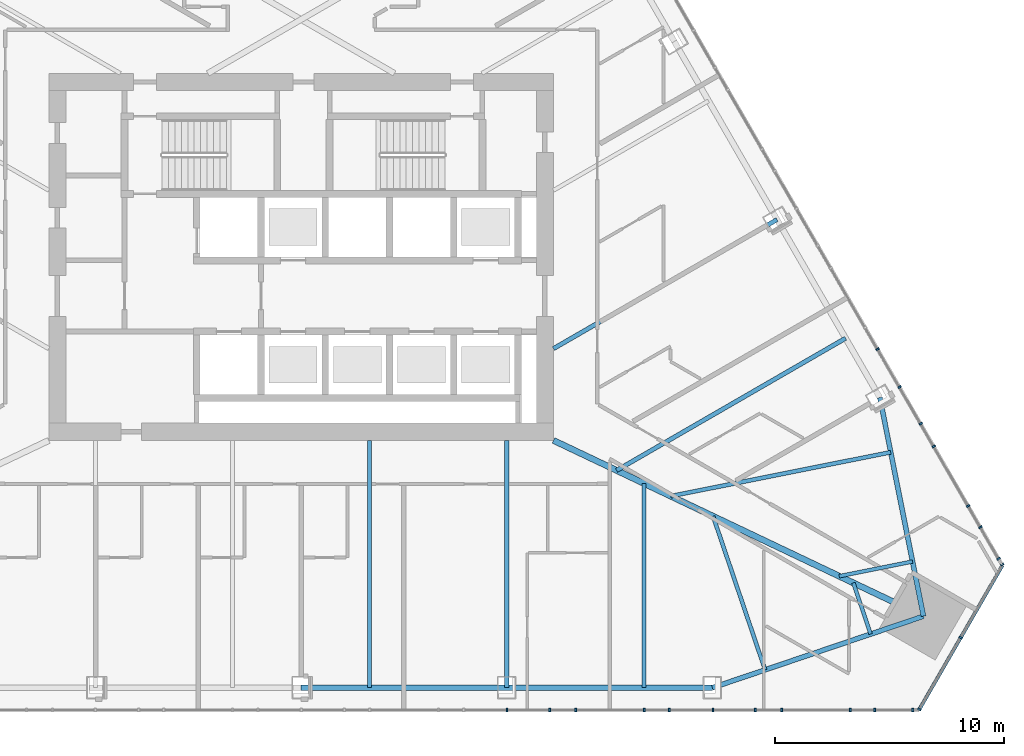
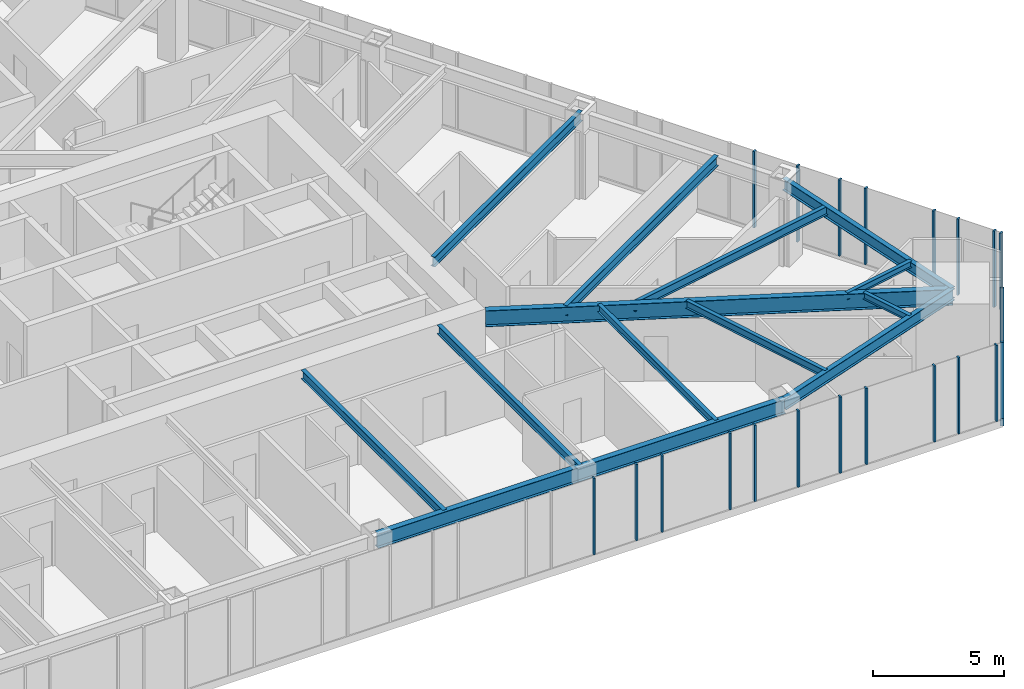
# One storey, part 7 of 26: 22 members, 13 beams, 3 elements without a shape of their own.
"""IFC4 building model written with IfcOpenShell, lengths in metres."""

from ifc_helpers import new_model, si_unit, direction, frame, origin, origin_2d, place, context, subcontext, project, spatial, rectangle, i_section, extrude, material, layer, layer_set, material_profile, profile_set, type_object, element, aggregate, save


model = new_model("IFC4")

# Units and contexts
model_context = context("Model", 3, precision=1e-05, world=origin(), true_north=direction((0.0, 1.0)))
body_context = subcontext(model_context, "Body", "Model", "MODEL_VIEW")
ifc_project = project(units=[si_unit("LENGTHUNIT", "METRE"), si_unit("AREAUNIT", "SQUARE_METRE"), si_unit("VOLUMEUNIT", "CUBIC_METRE"), si_unit("PLANEANGLEUNIT", "RADIAN"), si_unit("MASSUNIT", "GRAM", prefix="KILO")], contexts=[model_context])

# Site, building, storey
site_placement = place(None, origin())
site = spatial("IfcSite", under=ifc_project, at=site_placement, CompositionType="ELEMENT")
building_placement = place(site_placement, origin())
building = spatial("IfcBuilding", under=site, at=building_placement, Name="Firuza Gate Tower and Library", CompositionType="ELEMENT")
storey_placement = place(building_placement, frame((0.0, 0.0, 175.300048828125)))
storey = spatial("IfcBuildingStorey", under=building, at=storey_placement, Name="L40", CompositionType="ELEMENT", Elevation=175.300048828125)

# Curtain wall, members
ifc_material_1 = material(Name="Aluminium 6063-T6", Category="aluminium")
ifc_layer_1 = layer(ifc_material_1, 0.14990234375)
ifc_layer_set_1 = layer_set([ifc_layer_1], Name="Unitised curtain wall, hotel")
curtain_wall_type_1 = type_object("IfcCurtainWallType", Name="Unitised curtain wall, hotel", PredefinedType="NOTDEFINED", material=ifc_layer_set_1)
placement = place(storey_placement, origin())
curtain_wall_1 = element("IfcCurtainWall", 1, at=placement, inside=storey, type_object=curtain_wall_type_1, Name="CW2 L40 S face", PredefinedType="NOTDEFINED")
ifc_material_2 = material(Name="Aluminium 6063-T6", Category="aluminium")
ifc_material_profile_1 = material_profile(ifc_material_2, rectangle(XDim=0.14990234375, YDim=0.080078125, at=origin_2d()))
ifc_profile_set_1 = profile_set([ifc_material_profile_1], Name="Aluminium 6063-T6")
member_type_1 = type_object("IfcMemberType", Name="Curtain wall mullion 80x150", PredefinedType="MULLION", material=ifc_profile_set_1)
member_1_placement = place(storey_placement, frame((83.976318359375, 55.24560546875, 0.14990234375), z_axis=(0.0, 0.0, 1.0), x_axis=(0.0, 1.0, 0.0)))
member_1 = element("IfcMember", 2, at=member_1_placement, type_object=member_type_1, Name="Mullion", PredefinedType="MULLION", context=body_context, shape_type="SweptSolid", body=[
    extrude(rectangle(XDim=0.14990234375, YDim=0.080078125, at=origin_2d()), origin(), (0.0, 0.0, 1.0), 3.550048828125),
])
member_2_placement = place(storey_placement, frame((86.968505859375, 55.24560546875, 0.14990234375), z_axis=(0.0, 0.0, 1.0), x_axis=(0.0, 1.0, 0.0)))
member_2 = element("IfcMember", 3, at=member_2_placement, type_object=member_type_1, Name="Mullion", PredefinedType="MULLION", context=body_context, shape_type="SweptSolid", body=[
    extrude(rectangle(XDim=0.14990234375, YDim=0.080078125, at=origin_2d()), origin(), (0.0, 0.0, 1.0), 3.550048828125),
])
member_3_placement = place(storey_placement, frame((89.960693359375, 55.24560546875, 0.14990234375), z_axis=(0.0, 0.0, 1.0), x_axis=(0.0, 1.0, 0.0)))
member_3 = element("IfcMember", 4, at=member_3_placement, type_object=member_type_1, Name="Mullion", PredefinedType="MULLION", context=body_context, shape_type="SweptSolid", body=[
    extrude(rectangle(XDim=0.14990234375, YDim=0.080078125, at=origin_2d()), origin(), (0.0, 0.0, 1.0), 3.550048828125),
])
member_4_placement = place(storey_placement, frame((92.95263671875, 55.24560546875, 0.14990234375), z_axis=(0.0, 0.0, 1.0), x_axis=(0.0, 1.0, 0.0)))
member_4 = element("IfcMember", 5, at=member_4_placement, type_object=member_type_1, Name="Mullion", PredefinedType="MULLION", context=body_context, shape_type="SweptSolid", body=[
    extrude(rectangle(XDim=0.14990234375, YDim=0.080078125, at=origin_2d()), origin(), (0.0, 0.0, 1.0), 3.550048828125),
])
member_5_placement = place(storey_placement, frame((95.94482421875, 55.24560546875, 0.14990234375), z_axis=(0.0, 0.0, 1.0), x_axis=(0.0, 1.0, 0.0)))
member_5 = element("IfcMember", 6, at=member_5_placement, type_object=member_type_1, Name="Mullion", PredefinedType="MULLION", context=body_context, shape_type="SweptSolid", body=[
    extrude(rectangle(XDim=0.14990234375, YDim=0.080078125, at=origin_2d()), origin(), (0.0, 0.0, 1.0), 3.550048828125),
])
member_6_placement = place(storey_placement, frame((98.93701171875, 55.24560546875, 0.14990234375), z_axis=(0.0, 0.0, 1.0), x_axis=(0.0, 1.0, 0.0)))
member_6 = element("IfcMember", 7, at=member_6_placement, type_object=member_type_1, Name="Mullion", PredefinedType="MULLION", context=body_context, shape_type="SweptSolid", body=[
    extrude(rectangle(XDim=0.14990234375, YDim=0.080078125, at=origin_2d()), origin(), (0.0, 0.0, 1.0), 3.550048828125),
])
member_7_placement = place(storey_placement, frame((85.83984375, 55.24560546875, 0.14990234375), z_axis=(0.0, 0.0, 1.0), x_axis=(0.0, 1.0, 0.0)))
member_7 = element("IfcMember", 8, at=member_7_placement, type_object=member_type_1, Name="Mullion", PredefinedType="MULLION", context=body_context, shape_type="SweptSolid", body=[
    extrude(rectangle(XDim=0.14990234375, YDim=0.080078125, at=origin_2d()), origin(), (0.0, 0.0, 1.0), 3.550048828125),
])
member_8_placement = place(storey_placement, frame((91.0458984375, 55.24560546875, 0.14990234375), z_axis=(0.0, 0.0, 1.0), x_axis=(0.0, 1.0, 0.0)))
member_8 = element("IfcMember", 9, at=member_8_placement, type_object=member_type_1, Name="Mullion", PredefinedType="MULLION", context=body_context, shape_type="SweptSolid", body=[
    extrude(rectangle(XDim=0.14990234375, YDim=0.080078125, at=origin_2d()), origin(), (0.0, 0.0, 1.0), 3.550048828125),
])
member_9_placement = place(storey_placement, frame((94.8017578125, 55.24560546875, 0.14990234375), z_axis=(0.0, 0.0, 1.0), x_axis=(0.0, 1.0, 0.0)))
member_9 = element("IfcMember", 10, at=member_9_placement, type_object=member_type_1, Name="Mullion", PredefinedType="MULLION", context=body_context, shape_type="SweptSolid", body=[
    extrude(rectangle(XDim=0.14990234375, YDim=0.080078125, at=origin_2d()), origin(), (0.0, 0.0, 1.0), 3.550048828125),
])
member_10_placement = place(storey_placement, frame((100.0078125, 55.24560546875, 0.14990234375), z_axis=(0.0, 0.0, 1.0), x_axis=(0.0, 1.0, 0.0)))
member_10 = element("IfcMember", 11, at=member_10_placement, type_object=member_type_1, Name="Mullion", PredefinedType="MULLION", context=body_context, shape_type="SweptSolid", body=[
    extrude(rectangle(XDim=0.14990234375, YDim=0.080078125, at=origin_2d()), origin(), (0.0, 0.0, 1.0), 3.550048828125),
])
member_11_placement = place(storey_placement, frame((101.6630859375, 55.24560546875, 0.14990234375), z_axis=(0.0, 0.0, 1.0), x_axis=(0.0, 1.0, 0.0)))
member_11 = element("IfcMember", 12, at=member_11_placement, type_object=member_type_1, Name="Mullion", PredefinedType="MULLION", context=body_context, shape_type="SweptSolid", body=[
    extrude(rectangle(XDim=0.14990234375, YDim=0.080078125, at=origin_2d()), origin(), (0.0, 0.0, 1.0), 3.550048828125),
])
aggregate(curtain_wall_1, [member_1, member_2, member_3, member_4, member_5, member_6, member_7, member_8, member_9, member_10, member_11])

ifc_material_3 = material(Name="Aluminium 6063-T6", Category="aluminium")
ifc_layer_2 = layer(ifc_material_3, 0.14990234375)
ifc_layer_set_2 = layer_set([ifc_layer_2], Name="Corner curtain wall, chamfers")
curtain_wall_type_2 = type_object("IfcCurtainWallType", Name="Corner curtain wall, chamfers", PredefinedType="NOTDEFINED", material=ifc_layer_set_2)
curtain_wall_2 = element("IfcCurtainWall", 13, at=placement, inside=storey, type_object=curtain_wall_type_2, Name="CW4 L40 SE corner", PredefinedType="NOTDEFINED")
member_12_placement = place(storey_placement, frame((101.948974609375, 55.2802734375, 0.14990234375), z_axis=(0.0, 0.0, 1.0), x_axis=(-0.866025403784, 0.5, 0.0)))
member_12 = element("IfcMember", 14, at=member_12_placement, type_object=member_type_1, Name="Mullion", PredefinedType="MULLION", context=body_context, shape_type="SweptSolid", body=[
    extrude(rectangle(XDim=0.14990234375, YDim=0.080078125, at=origin_2d()), origin(), (0.0, 0.0, 1.0), 3.550048828125),
])
member_13_placement = place(storey_placement, frame((103.750732421875, 58.400634765625, 0.14990234375), z_axis=(0.0, 0.0, 1.0), x_axis=(-0.866025403784, 0.5, 0.0)))
member_13 = element("IfcMember", 15, at=member_13_placement, type_object=member_type_1, Name="Mullion", PredefinedType="MULLION", context=body_context, shape_type="SweptSolid", body=[
    extrude(rectangle(XDim=0.14990234375, YDim=0.080078125, at=origin_2d()), origin(), (0.0, 0.0, 1.0), 3.550048828125),
])

curtain_wall_3 = element("IfcCurtainWall", 16, at=placement, inside=storey, type_object=curtain_wall_type_1, Name="CW2 L40 E face", PredefinedType="NOTDEFINED")
member_14_placement = place(storey_placement, frame((105.552490234375, 61.590576171875, 0.14990234375), z_axis=(0.0, 0.0, 1.0), x_axis=(-0.866025403784, -0.5, 0.0)))
member_14 = element("IfcMember", 17, at=member_14_placement, type_object=member_type_1, Name="Mullion", PredefinedType="MULLION", context=body_context, shape_type="SweptSolid", body=[
    extrude(rectangle(XDim=0.14990234375, YDim=0.080078125, at=origin_2d()), origin(), (0.0, 0.0, 1.0), 3.550048828125),
])
member_15_placement = place(storey_placement, frame((104.076416015625, 64.147216796875, 0.14990234375), z_axis=(0.0, 0.0, 1.0), x_axis=(-0.866025403784, -0.5, 0.0)))
member_15 = element("IfcMember", 18, at=member_15_placement, type_object=member_type_1, Name="Mullion", PredefinedType="MULLION", context=body_context, shape_type="SweptSolid", body=[
    extrude(rectangle(XDim=0.14990234375, YDim=0.080078125, at=origin_2d()), origin(), (0.0, 0.0, 1.0), 3.550048828125),
])
member_16_placement = place(storey_placement, frame((102.580322265625, 66.738525390625, 0.14990234375), z_axis=(0.0, 0.0, 1.0), x_axis=(-0.866025403784, -0.5, 0.0)))
member_16 = element("IfcMember", 19, at=member_16_placement, type_object=member_type_1, Name="Mullion", PredefinedType="MULLION", context=body_context, shape_type="SweptSolid", body=[
    extrude(rectangle(XDim=0.14990234375, YDim=0.080078125, at=origin_2d()), origin(), (0.0, 0.0, 1.0), 3.550048828125),
])
member_17_placement = place(storey_placement, frame((101.084228515625, 69.32958984375, 0.14990234375), z_axis=(0.0, 0.0, 1.0), x_axis=(-0.866025403784, -0.5, 0.0)))
member_17 = element("IfcMember", 20, at=member_17_placement, type_object=member_type_1, Name="Mullion", PredefinedType="MULLION", context=body_context, shape_type="SweptSolid", body=[
    extrude(rectangle(XDim=0.14990234375, YDim=0.080078125, at=origin_2d()), origin(), (0.0, 0.0, 1.0), 3.550048828125),
])
member_18_placement = place(storey_placement, frame((105.40673828125, 61.8427734375, 0.14990234375), z_axis=(0.0, 0.0, 1.0), x_axis=(-0.866025403784, -0.5, 0.0)))
member_18 = element("IfcMember", 21, at=member_18_placement, type_object=member_type_1, Name="Mullion", PredefinedType="MULLION", context=body_context, shape_type="SweptSolid", body=[
    extrude(rectangle(XDim=0.14990234375, YDim=0.080078125, at=origin_2d()), origin(), (0.0, 0.0, 1.0), 3.550048828125),
])
member_19_placement = place(storey_placement, frame((104.61181640625, 63.219970703125, 0.14990234375), z_axis=(0.0, 0.0, 1.0), x_axis=(-0.866025403784, -0.5, 0.0)))
member_19 = element("IfcMember", 22, at=member_19_placement, type_object=member_type_1, Name="Mullion", PredefinedType="MULLION", context=body_context, shape_type="SweptSolid", body=[
    extrude(rectangle(XDim=0.14990234375, YDim=0.080078125, at=origin_2d()), origin(), (0.0, 0.0, 1.0), 3.550048828125),
])
member_20_placement = place(storey_placement, frame((102.0087890625, 67.728271484375, 0.14990234375), z_axis=(0.0, 0.0, 1.0), x_axis=(-0.866025403784, -0.5, 0.0)))
member_20 = element("IfcMember", 23, at=member_20_placement, type_object=member_type_1, Name="Mullion", PredefinedType="MULLION", context=body_context, shape_type="SweptSolid", body=[
    extrude(rectangle(XDim=0.14990234375, YDim=0.080078125, at=origin_2d()), origin(), (0.0, 0.0, 1.0), 3.550048828125),
])
member_21_placement = place(storey_placement, frame((100.130859375, 70.981201171875, 0.14990234375), z_axis=(0.0, 0.0, 1.0), x_axis=(-0.866025403784, -0.5, 0.0)))
member_21 = element("IfcMember", 24, at=member_21_placement, type_object=member_type_1, Name="Mullion", PredefinedType="MULLION", context=body_context, shape_type="SweptSolid", body=[
    extrude(rectangle(XDim=0.14990234375, YDim=0.080078125, at=origin_2d()), origin(), (0.0, 0.0, 1.0), 3.550048828125),
])
aggregate(curtain_wall_3, [member_14, member_15, member_16, member_17, member_18, member_19, member_20, member_21])

# Member
ifc_material_4 = material(Name="Aluminium 6063-T6", Category="aluminium")
ifc_material_profile_2 = material_profile(ifc_material_4, rectangle(XDim=0.14990234375, YDim=0.35009765625, at=origin_2d()))
ifc_profile_set_2 = profile_set([ifc_material_profile_2], Name="Aluminium 6063-T6")
member_type_2 = type_object("IfcMemberType", Name="Curtain wall transom 350x150", PredefinedType="USERDEFINED", material=ifc_profile_set_2)
member_22_placement = place(storey_placement, frame((101.92919921875, 55.24560546875, -0.025146484375), z_axis=(0.499980589496, 0.866036610154, 0.0), x_axis=(-0.866036610154, 0.499980589496, 0.0)))
member_22 = element("IfcMember", 25, at=member_22_placement, type_object=member_type_2, Name="Transom", ObjectType="TRANSOM", PredefinedType="USERDEFINED", context=body_context, shape_type="SweptSolid", body=[
    extrude(rectangle(XDim=0.14990234375, YDim=0.35009765625, at=origin_2d()), origin(), (0.0, 0.0, 1.0), 7.286376953125),
])

aggregate(curtain_wall_2, [member_12, member_13, member_22])

# Beams
ifc_material_5 = material(Name="Steel S355", Category="steel")
ifc_material_profile_3 = material_profile(ifc_material_5, i_section(OverallWidth=0.1650390625, OverallDepth=0.31005859375, WebThickness=0.005859375, FlangeThickness=0.009765625, at=origin_2d()))
ifc_profile_set_3 = profile_set([ifc_material_profile_3], Name="Steel S355")
beam_type_1 = type_object("IfcBeamType", Name="W310x39 Floor beam", PredefinedType="JOIST", material=ifc_profile_set_3)
beam_1_placement = place(storey_placement, frame((99.826171875, 58.558837890625, 3.544921875), z_axis=(-0.320886488599, 0.947117659763, 0.0), x_axis=(-0.947117659763, -0.320886488599, 0.0)))
element("IfcBeam", 26, at=beam_1_placement, inside=storey, type_object=beam_type_1, Name="Floor beam L40 s31", PredefinedType="JOIST", context=body_context, shape_type="SweptSolid", body=[
    extrude(i_section(OverallWidth=0.1650390625, OverallDepth=0.31005859375, WebThickness=0.005859375, FlangeThickness=0.009765625, at=origin_2d()), origin(), (0.0, 0.0, 1.0), 2.356201171875),
])
beam_2_placement = place(storey_placement, frame((101.651611328125, 61.720458984375, 3.544921875), z_axis=(-0.980672759664, -0.195655151867, 0.0), x_axis=(0.195655151867, -0.980672759664, 0.0)))
element("IfcBeam", 27, at=beam_2_placement, inside=storey, type_object=beam_type_1, Name="Floor beam L40 s40", PredefinedType="JOIST", context=body_context, shape_type="SweptSolid", body=[
    extrude(i_section(OverallWidth=0.1650390625, OverallDepth=0.31005859375, WebThickness=0.005859375, FlangeThickness=0.009765625, at=origin_2d()), origin(), (0.0, 0.0, 1.0), 3.25927734375),
])
ifc_material_6 = material(Name="Steel S355", Category="steel")
ifc_material_profile_4 = material_profile(ifc_material_6, i_section(OverallWidth=0.1708984375, OverallDepth=0.35498046875, WebThickness=0.007080078125, FlangeThickness=0.01171875, at=origin_2d()))
ifc_profile_set_4 = profile_set([ifc_material_profile_4], Name="Steel S355")
beam_type_2 = type_object("IfcBeamType", Name="W360x51 Floor beam", PredefinedType="JOIST", material=ifc_profile_set_4)
beam_3_placement = place(storey_placement, frame((89.9365234375, 56.220458984375, 3.5224609375), z_axis=(0.0, 1.0, 0.0), x_axis=(-1.0, 0.0, 0.0)))
element("IfcBeam", 28, at=beam_3_placement, inside=storey, type_object=beam_type_2, Name="Floor beam L40 s25", PredefinedType="JOIST", context=body_context, shape_type="SweptSolid", body=[
    extrude(i_section(OverallWidth=0.1708984375, OverallDepth=0.35498046875, WebThickness=0.007080078125, FlangeThickness=0.01171875, at=origin_2d()), origin(), (0.0, 0.0, 1.0), 8.909423828125),
])
beam_4_placement = place(storey_placement, frame((95.224609375, 57.0, 3.5224609375), z_axis=(-0.320855506984, 0.947128155868, 0.0), x_axis=(-0.947128155868, -0.320855506984, 0.0)))
element("IfcBeam", 29, at=beam_4_placement, inside=storey, type_object=beam_type_2, Name="Floor beam L40 s30", PredefinedType="JOIST", context=body_context, shape_type="SweptSolid", body=[
    extrude(i_section(OverallWidth=0.1708984375, OverallDepth=0.35498046875, WebThickness=0.007080078125, FlangeThickness=0.01171875, at=origin_2d()), origin(), (0.0, 0.0, 1.0), 7.06884765625),
])
ifc_material_7 = material(Name="Steel S355", Category="steel")
ifc_material_profile_5 = material_profile(ifc_material_7, i_section(OverallWidth=0.177978515625, OverallDepth=0.406982421875, WebThickness=0.0078125, FlangeThickness=0.0126953125, at=origin_2d()))
ifc_profile_set_5 = profile_set([ifc_material_profile_5], Name="Steel S355")
beam_type_3 = type_object("IfcBeamType", Name="W410x60 Floor beam", PredefinedType="JOIST", material=ifc_profile_set_5)
for number, where, z_axis, x_axis, name in (
    (30, (77.9873046875, 56.220458984375, 3.496337890625), (0.0, 1.0, 0.0), (-1.0, 0.0, 0.0), "Floor beam L40 s23"),
    (31, (83.9619140625, 56.220458984375, 3.496337890625), (0.0, 1.0, 0.0), (-1.0, 0.0, 0.0), "Floor beam L40 s24"),
):
    element("IfcBeam", number, at=place(storey_placement, frame(where, z_axis=z_axis, x_axis=x_axis)), inside=storey, type_object=beam_type_3, Name=name, PredefinedType="JOIST", context=body_context, shape_type="SweptSolid", body=[
        extrude(i_section(OverallWidth=0.177978515625, OverallDepth=0.406982421875, WebThickness=0.0078125, FlangeThickness=0.0126953125, at=origin_2d()), origin(), (0.0, 0.0, 1.0), 10.779541015625),
    ])
beam_5_placement = place(storey_placement, frame((100.70068359375, 66.48486328125, 3.496337890625), z_axis=(-0.980667968547, -0.195679164617, 0.0), x_axis=(0.195679164617, -0.980667968547, 0.0)))
element("IfcBeam", 32, at=beam_5_placement, inside=storey, type_object=beam_type_3, Name="Floor beam L40 s41", PredefinedType="JOIST", context=body_context, shape_type="SweptSolid", body=[
    extrude(i_section(OverallWidth=0.177978515625, OverallDepth=0.406982421875, WebThickness=0.0078125, FlangeThickness=0.0126953125, at=origin_2d()), origin(), (0.0, 0.0, 1.0), 9.77783203125),
])
ifc_material_8 = material(Name="Steel S355", Category="steel")
ifc_material_profile_6 = material_profile(ifc_material_8, i_section(OverallWidth=0.18994140625, OverallDepth=0.45703125, WebThickness=0.009033203125, FlangeThickness=0.014404296875, at=origin_2d()))
ifc_profile_set_6 = profile_set([ifc_material_profile_6], Name="Steel S355")
beam_type_4 = type_object("IfcBeamType", Name="W460x74 Floor beam", PredefinedType="JOIST", material=ifc_profile_set_6)
beam_6_placement = place(storey_placement, frame((98.731689453125, 71.454345703125, 3.471435546875), z_axis=(-0.866028586684, -0.499994487016, 0.0), x_axis=(0.499994487016, -0.866028586684, 0.0)))
element("IfcBeam", 33, at=beam_6_placement, inside=storey, type_object=beam_type_4, Name="Floor beam L40 s50", PredefinedType="JOIST", context=body_context, shape_type="SweptSolid", body=[
    extrude(i_section(OverallWidth=0.18994140625, OverallDepth=0.45703125, WebThickness=0.009033203125, FlangeThickness=0.014404296875, at=origin_2d()), origin(), (0.0, 0.0, 1.0), 11.523681640625),
])
beam_7_placement = place(storey_placement, frame((95.744384765625, 76.62841796875, 3.471435546875), z_axis=(-0.866023348946, -0.500003559068, 0.0), x_axis=(0.500003559068, -0.866023348946, 0.0)))
element("IfcBeam", 34, at=beam_7_placement, inside=storey, type_object=beam_type_4, Name="Floor beam L40 s51", PredefinedType="JOIST", context=body_context, shape_type="SweptSolid", body=[
    extrude(i_section(OverallWidth=0.18994140625, OverallDepth=0.45703125, WebThickness=0.009033203125, FlangeThickness=0.014404296875, at=origin_2d()), origin(), (0.0, 0.0, 1.0), 11.251953125),
])
ifc_material_9 = material(Name="Steel S355", Category="steel")
ifc_material_profile_7 = material_profile(ifc_material_9, i_section(OverallWidth=0.212890625, OverallDepth=0.5390625, WebThickness=0.01171875, FlangeThickness=0.018798828125, at=origin_2d()))
ifc_profile_set_7 = profile_set([ifc_material_profile_7], Name="Steel S355")
beam_type_5 = type_object("IfcBeamType", Name="W530x109 Edge beam", PredefinedType="SPANDREL", material=ifc_profile_set_7)
beam_8_placement = place(storey_placement, frame((92.923828125, 56.220458984375, 3.430419921875), z_axis=(0.947129305781, 0.320852112554, 0.0), x_axis=(-0.320852112554, 0.947129305781, 0.0)))
element("IfcBeam", 35, at=beam_8_placement, inside=storey, type_object=beam_type_5, Name="Edge beam L40 e30", PredefinedType="SPANDREL", context=body_context, shape_type="SweptSolid", body=[
    extrude(i_section(OverallWidth=0.212890625, OverallDepth=0.5390625, WebThickness=0.01171875, FlangeThickness=0.018798828125, at=origin_2d()), origin(), (0.0, 0.0, 1.0), 9.716796875),
])
beam_9_placement = place(storey_placement, frame((102.126953125, 59.338134765625, 3.430419921875), z_axis=(-0.195700584523, 0.980663694249, 0.0), x_axis=(-0.980663694249, -0.195700584523, 0.0)))
element("IfcBeam", 36, at=beam_9_placement, inside=storey, type_object=beam_type_5, Name="Edge beam L40 e40", PredefinedType="SPANDREL", context=body_context, shape_type="SweptSolid", body=[
    extrude(i_section(OverallWidth=0.212890625, OverallDepth=0.5390625, WebThickness=0.01171875, FlangeThickness=0.018798828125, at=origin_2d()), origin(), (0.0, 0.0, 1.0), 9.717041015625),
])
ifc_material_10 = material(Name="Steel S355", Category="steel")
ifc_material_profile_8 = material_profile(ifc_material_10, i_section(OverallWidth=0.2529296875, OverallDepth=0.677978515625, WebThickness=0.01171875, FlangeThickness=0.016357421875, at=origin_2d()))
ifc_profile_set_8 = profile_set([ifc_material_profile_8], Name="Steel S355")
beam_type_6 = type_object("IfcBeamType", Name="W690x125 Edge beam", PredefinedType="SPANDREL", material=ifc_profile_set_8)
beam_10_placement = place(storey_placement, frame((75.0, 56.220458984375, 3.36083984375), z_axis=(1.0, 0.0, 0.0), x_axis=(0.0, 1.0, 0.0)))
element("IfcBeam", 37, at=beam_10_placement, inside=storey, type_object=beam_type_6, Name="Edge beam L40 e22", PredefinedType="SPANDREL", context=body_context, shape_type="SweptSolid", body=[
    extrude(i_section(OverallWidth=0.2529296875, OverallDepth=0.677978515625, WebThickness=0.01171875, FlangeThickness=0.016357421875, at=origin_2d()), origin(), (0.0, 0.0, 1.0), 17.923828125),
])
ifc_material_11 = material(Name="Steel S355", Category="steel")
ifc_material_profile_9 = material_profile(ifc_material_11, i_section(OverallWidth=0.264892578125, OverallDepth=0.7529296875, WebThickness=0.01318359375, FlangeThickness=0.01708984375, at=origin_2d()))
ifc_profile_set_9 = profile_set([ifc_material_profile_9], Name="Steel S355")
beam_type_7 = type_object("IfcBeamType", Name="W760x147 Girder", PredefinedType="BEAM", material=ifc_profile_set_9)
beam_11_placement = place(storey_placement, frame((102.126953125, 59.338134765625, 3.323486328125), z_axis=(-0.903243585223, 0.429128215984, 0.0), x_axis=(-0.429128215984, -0.903243585223, 0.0)))
element("IfcBeam", 38, at=beam_11_placement, inside=storey, type_object=beam_type_7, Name="Girder L40 gSE", PredefinedType="BEAM", context=body_context, shape_type="SweptSolid", body=[
    extrude(i_section(OverallWidth=0.264892578125, OverallDepth=0.7529296875, WebThickness=0.01318359375, FlangeThickness=0.01708984375, at=origin_2d()), origin(), (0.0, 0.0, 1.0), 17.8544921875),
])

save(model, "model.ifc")
